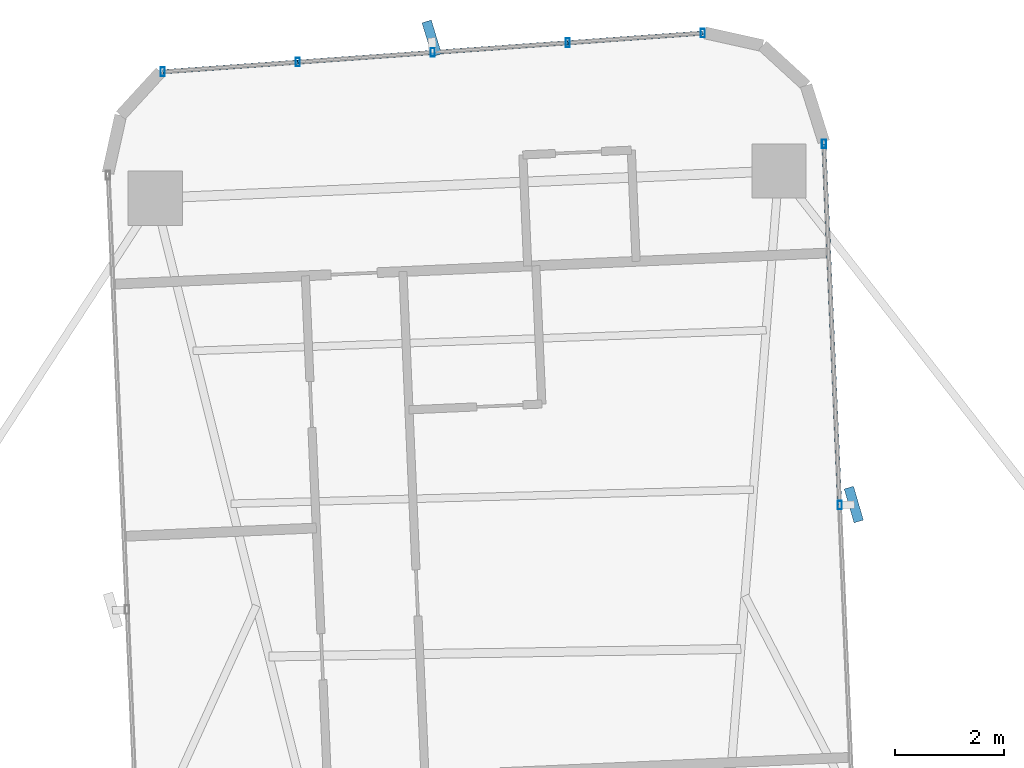
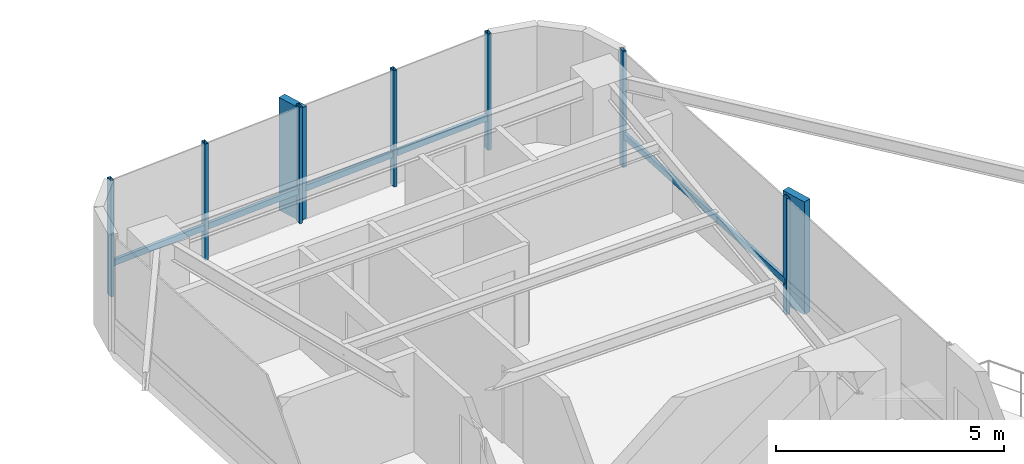
# One storey, part 19 of 26: 14 members, 2 elements without a shape of their own.
"""IFC4 building model written with IfcOpenShell, lengths in metres."""

from ifc_helpers import new_model, si_unit, direction, frame, origin, origin_2d, place, context, subcontext, project, spatial, rectangle, hollow_rectangle, extrude, source, transform, mapped, material, material_profile, profile_set, type_object, element, aggregate, save


model = new_model("IFC4")

# Units and contexts
model_context = context("Model", 3, precision=1e-05, world=origin(), true_north=direction((0.0, 1.0)))
body_context = subcontext(model_context, "Body", "Model", "MODEL_VIEW")
ifc_project = project(units=[si_unit("LENGTHUNIT", "METRE"), si_unit("AREAUNIT", "SQUARE_METRE"), si_unit("VOLUMEUNIT", "CUBIC_METRE"), si_unit("PLANEANGLEUNIT", "RADIAN"), si_unit("MASSUNIT", "GRAM", prefix="KILO")], contexts=[model_context])

# Site, building, storey
site_placement = place(None, origin())
site = spatial("IfcSite", under=ifc_project, at=site_placement, CompositionType="ELEMENT")
building_placement = place(site_placement, origin())
building = spatial("IfcBuilding", under=site, at=building_placement, Name="Sahyath Konkavel Grand Hotel", CompositionType="ELEMENT")
storey_placement = place(building_placement, frame((0.0, 0.0, 100.25)))
storey = spatial("IfcBuildingStorey", under=building, at=storey_placement, Name="L27", CompositionType="ELEMENT", Elevation=100.25)

# Curtain wall, member
ifc_material_1 = material(Name="Anodised Bronze Aluminium & Low-E Glazing", Category="aluminium")
curtain_wall_type = type_object("IfcCurtainWallType", Name="CW-ZONE2", PredefinedType="NOTDEFINED", material=ifc_material_1)
curtain_wall_1_placement = place(storey_placement, origin())
curtain_wall_1 = element("IfcCurtainWall", 1, at=curtain_wall_1_placement, inside=storey, type_object=curtain_wall_type, Name="L27 Unitised Curtain Wall F8", PredefinedType="NOTDEFINED")
ifc_material_2 = material(Name="Warm Buff Sandstone Cladding on Concrete C50/60", Category="masonry")
ifc_material_profile_1 = material_profile(ifc_material_2, rectangle(XDim=0.179931640625, YDim=0.64990234375, at=origin_2d()), Name="FIN 180x650")
ifc_profile_set_1 = profile_set([ifc_material_profile_1], Name="Warm Buff Sandstone Cladding on Concrete C50/60")
member_type_1 = type_object("IfcMemberType", Name="FIN-SANDSTONE-650", PredefinedType="MULLION", material=ifc_profile_set_1)
shared_shape_1 = source(origin(), body_context, "Body", "SweptSolid", [
    extrude(rectangle(XDim=0.179931640625, YDim=0.64990234375, at=origin_2d()), origin(), (0.0, 0.0, 1.0), 3.010009765625),
])
member_1_placement = place(storey_placement, frame((6.155517578125, 16.283935546875, 0.050048828125), z_axis=(0.0, 0.0, 1.0), x_axis=(0.959854262938, 0.280499187022, 0.0)))
member_1 = element("IfcMember", 2, at=member_1_placement, type_object=member_type_1, Name="L27 Sandstone Vertical Solar Fin FIN F8-1", PredefinedType="MULLION", context=body_context, shape_type="MappedRepresentation", body=[
    mapped(shared_shape_1, transform((0.0, 0.0, 0.0), scale=1.0)),
])

curtain_wall_2_placement = place(storey_placement, origin())
curtain_wall_2 = element("IfcCurtainWall", 3, at=curtain_wall_2_placement, inside=storey, type_object=curtain_wall_type, Name="L27 Unitised Curtain Wall F12", PredefinedType="NOTDEFINED")
member_2_placement = place(storey_placement, frame((-1.61865234375, 24.872314453125, 0.050048828125), z_axis=(0.0, 0.0, 1.0), x_axis=(0.956610402488, 0.291370104596, 0.0)))
member_2 = element("IfcMember", 4, at=member_2_placement, type_object=member_type_1, Name="L27 Sandstone Vertical Solar Fin FIN F12-2", PredefinedType="MULLION", context=body_context, shape_type="MappedRepresentation", body=[
    mapped(shared_shape_1, transform((0.0, 0.0, 0.0), scale=1.0)),
])

# Member
ifc_material_3 = material(Name="Anodised Bronze Aluminium", Category="aluminium")
ifc_material_profile_2 = material_profile(ifc_material_3, hollow_rectangle(XDim=0.080078125, YDim=0.159912109375, WallThickness=0.006103515625, at=origin_2d()), Name="RHS 160x80x6")
ifc_profile_set_2 = profile_set([ifc_material_profile_2], Name="Anodised Bronze Aluminium")
member_type_2 = type_object("IfcMemberType", Name="CW-MUL-160", PredefinedType="MULLION", material=ifc_profile_set_2)
shared_shape_2 = source(origin(), body_context, "Body", "SweptSolid", [
    extrude(hollow_rectangle(XDim=0.080078125, YDim=0.159912109375, WallThickness=0.006103515625, at=origin_2d()), origin(), (0.0, 0.0, 1.0), 3.110107421875),
])
member_3_placement = place(storey_placement, frame((5.895751953125, 16.272705078125, 0.0), z_axis=(0.0, 0.0, 1.0), x_axis=(1.0, 0.0, 0.0)))
member_3 = element("IfcMember", 5, at=member_3_placement, type_object=member_type_2, Name="L27 Curtain Wall Mullion F8-1", PredefinedType="MULLION", context=body_context, shape_type="MappedRepresentation", body=[
    mapped(shared_shape_2, transform((0.0, 0.0, 0.0), scale=1.0)),
])

member_4_placement = place(storey_placement, frame((5.605224609375, 22.92626953125, 0.0), z_axis=(0.0, 0.0, 1.0), x_axis=(1.0, 0.0, 0.0)))
member_4 = element("IfcMember", 6, at=member_4_placement, type_object=member_type_2, Name="L27 Curtain Wall Mullion F8-2", PredefinedType="MULLION", context=body_context, shape_type="MappedRepresentation", body=[
    mapped(shared_shape_2, transform((0.0, 0.0, 0.0), scale=1.0)),
])

member_5_placement = place(storey_placement, frame((3.3740234375, 24.9697265625, 0.0), z_axis=(0.0, 0.0, 1.0), x_axis=(1.0, 0.0, 0.0)))
member_5 = element("IfcMember", 7, at=member_5_placement, type_object=member_type_2, Name="L27 Curtain Wall Mullion F12-0", PredefinedType="MULLION", context=body_context, shape_type="MappedRepresentation", body=[
    mapped(shared_shape_2, transform((0.0, 0.0, 0.0), scale=1.0)),
])

member_6_placement = place(storey_placement, frame((0.886962890625, 24.79150390625, 0.0), z_axis=(0.0, 0.0, 1.0), x_axis=(1.0, 0.0, 0.0)))
member_6 = element("IfcMember", 8, at=member_6_placement, type_object=member_type_2, Name="L27 Curtain Wall Mullion F12-1", PredefinedType="MULLION", context=body_context, shape_type="MappedRepresentation", body=[
    mapped(shared_shape_2, transform((0.0, 0.0, 0.0), scale=1.0)),
])

member_7_placement = place(storey_placement, frame((-1.60009765625, 24.61279296875, 0.0), z_axis=(0.0, 0.0, 1.0), x_axis=(1.0, 0.0, 0.0)))
member_7 = element("IfcMember", 9, at=member_7_placement, type_object=member_type_2, Name="L27 Curtain Wall Mullion F12-2", PredefinedType="MULLION", context=body_context, shape_type="MappedRepresentation", body=[
    mapped(shared_shape_2, transform((0.0, 0.0, 0.0), scale=1.0)),
])

member_8_placement = place(storey_placement, frame((-4.087158203125, 24.4345703125, 0.0), z_axis=(0.0, 0.0, 1.0), x_axis=(1.0, 0.0, 0.0)))
member_8 = element("IfcMember", 10, at=member_8_placement, type_object=member_type_2, Name="L27 Curtain Wall Mullion F12-3", PredefinedType="MULLION", context=body_context, shape_type="MappedRepresentation", body=[
    mapped(shared_shape_2, transform((0.0, 0.0, 0.0), scale=1.0)),
])

member_9_placement = place(storey_placement, frame((-6.57421875, 24.256103515625, 0.0), z_axis=(0.0, 0.0, 1.0), x_axis=(1.0, 0.0, 0.0)))
member_9 = element("IfcMember", 11, at=member_9_placement, type_object=member_type_2, Name="L27 Curtain Wall Mullion F12-4", PredefinedType="MULLION", context=body_context, shape_type="MappedRepresentation", body=[
    mapped(shared_shape_2, transform((0.0, 0.0, 0.0), scale=1.0)),
])

ifc_material_profile_3 = material_profile(ifc_material_3, hollow_rectangle(XDim=0.080078125, YDim=0.159912109375, WallThickness=0.006103515625, at=origin_2d()), Name="RHS 160x80x6")
ifc_profile_set_3 = profile_set([ifc_material_profile_3], Name="Anodised Bronze Aluminium")
member_type_3 = type_object("IfcMemberType", Name="CW-TRN-160", PredefinedType="USERDEFINED", material=ifc_profile_set_3)
shared_shape_3 = source(origin(), body_context, "Body", "SweptSolid", [
    extrude(hollow_rectangle(XDim=0.080078125, YDim=0.159912109375, WallThickness=0.006103515625, at=origin_2d()), origin(), (0.0, 0.0, 1.0), 2.493408203125),
])
member_10_placement = place(storey_placement, frame((3.3740234375, 24.9697265625, 0.85009765625), z_axis=(-0.997442271688, -0.071476672066, 0.0), x_axis=(0.071476672066, -0.997442271688, 0.0)))
member_10 = element("IfcMember", 12, at=member_10_placement, type_object=member_type_3, Name="L27 Curtain Wall Transom F12-0-spandrel", ObjectType="TRANSOM", PredefinedType="USERDEFINED", context=body_context, shape_type="MappedRepresentation", body=[
    mapped(shared_shape_3, transform((0.0, 0.0, 0.0), scale=1.0)),
])

member_11_placement = place(storey_placement, frame((0.886962890625, 24.79150390625, 0.85009765625), z_axis=(-0.997428291631, -0.071671494009, 0.0), x_axis=(0.071671494009, -0.997428291631, 0.0)))
member_11 = element("IfcMember", 13, at=member_11_placement, type_object=member_type_3, Name="L27 Curtain Wall Transom F12-1-spandrel", ObjectType="TRANSOM", PredefinedType="USERDEFINED", context=body_context, shape_type="MappedRepresentation", body=[
    mapped(shared_shape_3, transform((0.0, 0.0, 0.0), scale=1.0)),
])

member_12_placement = place(storey_placement, frame((-1.60009765625, 24.61279296875, 0.85009765625), z_axis=(-0.997442271688, -0.071476672066, 0.0), x_axis=(0.071476672066, -0.997442271688, 0.0)))
member_12 = element("IfcMember", 14, at=member_12_placement, type_object=member_type_3, Name="L27 Curtain Wall Transom F12-2-spandrel", ObjectType="TRANSOM", PredefinedType="USERDEFINED", context=body_context, shape_type="MappedRepresentation", body=[
    mapped(shared_shape_3, transform((0.0, 0.0, 0.0), scale=1.0)),
])

member_13_placement = place(storey_placement, frame((-4.087158203125, 24.4345703125, 0.85009765625), z_axis=(-0.997435286367, -0.071574084062, 0.0), x_axis=(0.071574084062, -0.997435286367, 0.0)))
member_13 = element("IfcMember", 15, at=member_13_placement, type_object=member_type_3, Name="L27 Curtain Wall Transom F12-3-spandrel", ObjectType="TRANSOM", PredefinedType="USERDEFINED", context=body_context, shape_type="MappedRepresentation", body=[
    mapped(shared_shape_3, transform((0.0, 0.0, 0.0), scale=1.0)),
])

aggregate(curtain_wall_2, [member_5, member_6, member_7, member_2, member_8, member_9, member_10, member_11, member_12, member_13])

shared_shape_4 = source(origin(), body_context, "Body", "SweptSolid", [
    extrude(hollow_rectangle(XDim=0.080078125, YDim=0.159912109375, WallThickness=0.006103515625, at=origin_2d()), origin(), (0.0, 0.0, 1.0), 6.659912109375),
])
member_14_placement = place(storey_placement, frame((5.895751953125, 16.272705078125, 0.85009765625), z_axis=(-0.043623350741, 0.999048048529, 0.0), x_axis=(-0.999048048529, -0.043623350741, 0.0)))
member_14 = element("IfcMember", 16, at=member_14_placement, type_object=member_type_3, Name="L27 Curtain Wall Transom F8-1-spandrel", ObjectType="TRANSOM", PredefinedType="USERDEFINED", context=body_context, shape_type="MappedRepresentation", body=[
    mapped(shared_shape_4, transform((0.0, 0.0, 0.0), scale=1.0)),
])

aggregate(curtain_wall_1, [member_3, member_1, member_4, member_14])

save(model, "model.ifc")
